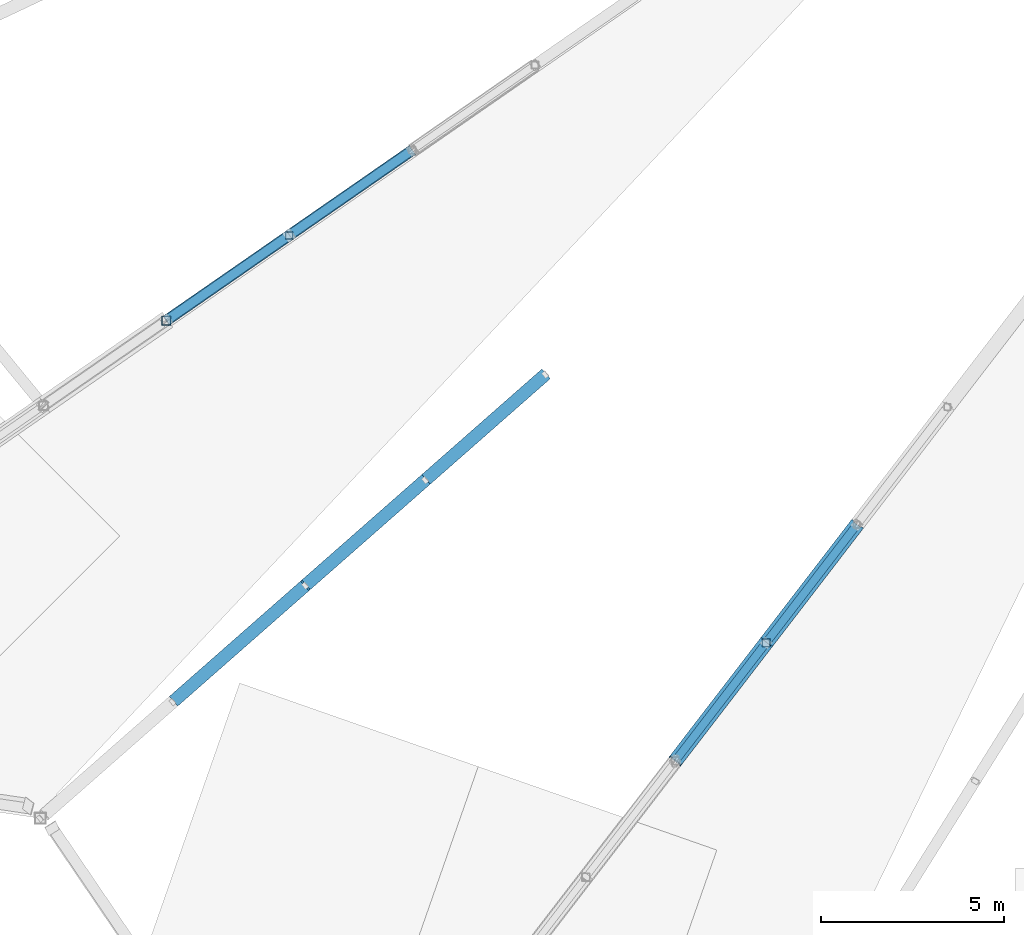
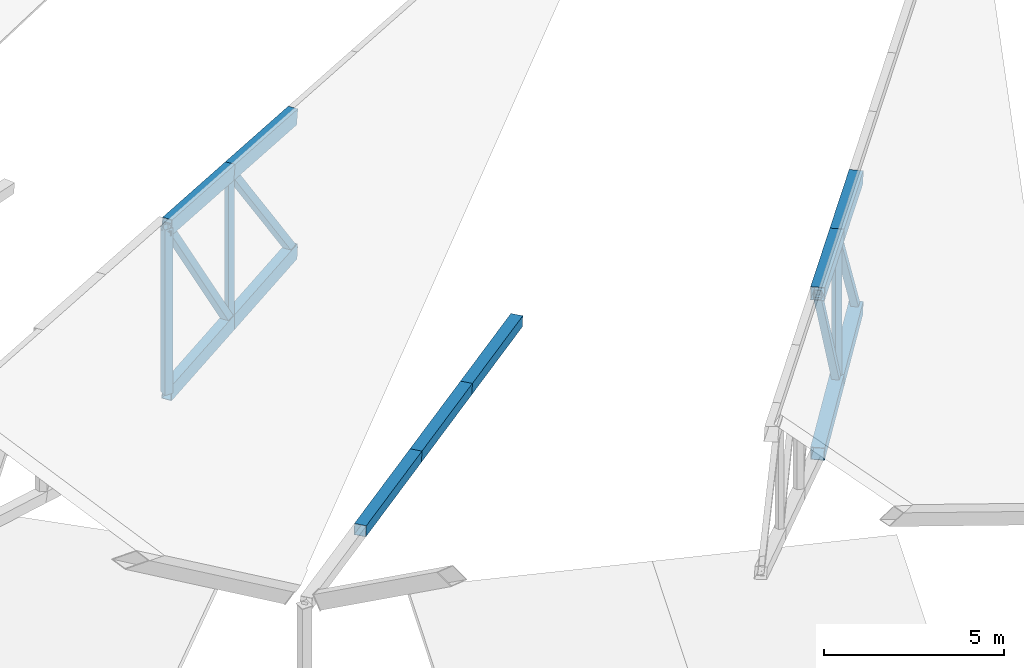
# One storey, part 6 of 188: 18 members.
"""IFC4 building model written with IfcOpenShell, lengths in metres."""

from ifc_helpers import new_model, si_unit, direction, frame, origin, origin_2d, place, context, subcontext, project, spatial, hollow_rectangle, extrude, material, material_profile, profile_set, type_object, element, save


model = new_model("IFC4")

# Units and contexts
model_context = context("Model", 3, precision=1e-05, world=origin(), true_north=direction((0.0, 1.0)))
body_context = subcontext(model_context, "Body", "Model", "MODEL_VIEW")
ifc_project = project(units=[si_unit("LENGTHUNIT", "METRE"), si_unit("AREAUNIT", "SQUARE_METRE"), si_unit("VOLUMEUNIT", "CUBIC_METRE"), si_unit("PLANEANGLEUNIT", "RADIAN"), si_unit("MASSUNIT", "GRAM", prefix="KILO")], contexts=[model_context])

# Site, building, storey
site_placement = place(None, origin())
site = spatial("IfcSite", under=ifc_project, at=site_placement, CompositionType="ELEMENT")
building_placement = place(site_placement, origin())
building = spatial("IfcBuilding", under=site, at=building_placement, Name="Meseta Stadium", CompositionType="ELEMENT")
storey_placement = place(building_placement, frame((0.0, 0.0, 30.0)))
storey = spatial("IfcBuildingStorey", under=building, at=storey_placement, Name="ROOF", CompositionType="ELEMENT", Elevation=30.0)

# Members
ifc_material_1 = material(Name="Steel S355", Category="steel")
ifc_material_profile_1 = material_profile(ifc_material_1, hollow_rectangle(XDim=0.300048828125, YDim=0.5, WallThickness=0.01611328125, at=origin_2d()), Name="RHS 500x300x16")
ifc_profile_set_1 = profile_set([ifc_material_profile_1], Name="Steel S355")
member_type_1 = type_object("IfcMemberType", Name="RHS 500x300x16 bottom chord", PredefinedType="CHORD", material=ifc_profile_set_1)
member_1_placement = place(storey_placement, frame((-61.710205078125, -72.913818359375, 0.962158203125), z_axis=(-0.821142779412, -0.569039636759, 0.043799858631), x_axis=(0.569586254046, -0.821931566009, 0.0)))
element("IfcMember", 1, at=member_1_placement, inside=storey, type_object=member_type_1, Name="ROOF TRUSS RT-40 bottom chord", PredefinedType="CHORD", context=body_context, shape_type="SweptSolid", body=[
    extrude(hollow_rectangle(XDim=0.300048828125, YDim=0.5, WallThickness=0.01611328125, at=origin_2d()), origin(), (0.0, 0.0, 1.0), 4.085693359375),
])
member_2_placement = place(storey_placement, frame((-65.065185546875, -75.23876953125, 1.14111328125), z_axis=(-0.821117005878, -0.569081528452, 0.043738731502), x_axis=(0.569626659021, -0.821903564497, 0.0)))
element("IfcMember", 2, at=member_2_placement, inside=storey, type_object=member_type_1, Name="ROOF TRUSS RT-40 bottom chord", PredefinedType="CHORD", context=body_context, shape_type="SweptSolid", body=[
    extrude(hollow_rectangle(XDim=0.300048828125, YDim=0.5, WallThickness=0.01611328125, at=origin_2d()), origin(), (0.0, 0.0, 1.0), 4.0859375),
])
ifc_material_2 = material(Name="Steel S355", Category="steel")
ifc_material_profile_2 = material_profile(ifc_material_2, hollow_rectangle(XDim=0.300048828125, YDim=0.5, WallThickness=0.01611328125, at=origin_2d()), Name="RHS 500x300x16")
ifc_profile_set_2 = profile_set([ifc_material_profile_2], Name="Steel S355")
member_type_2 = type_object("IfcMemberType", Name="RHS 500x300x16 top chord", PredefinedType="CHORD", material=ifc_profile_set_2)
for number, where, z_axis, x_axis, name in (
    (3, (-61.710205078125, -72.913818359375, 5.5107421875), (-0.809985745458, -0.561307979479, 0.169871846777), (0.569586254046, -0.821931566009, 0.0), "ROOF TRUSS RT-40 top chord"),
    (4, (-65.065185546875, -75.23876953125, 6.21435546875), (-0.809958947157, -0.561348349055, 0.169866226583), (0.569626659021, -0.821903564497, 0.0), "ROOF TRUSS RT-40 top chord"),
):
    element("IfcMember", number, at=place(storey_placement, frame(where, z_axis=z_axis, x_axis=x_axis)), inside=storey, type_object=member_type_2, Name=name, PredefinedType="CHORD", context=body_context, shape_type="SweptSolid", body=[
        extrude(hollow_rectangle(XDim=0.300048828125, YDim=0.5, WallThickness=0.01611328125, at=origin_2d()), origin(), (0.0, 0.0, 1.0), 4.14208984375),
    ])
ifc_material_3 = material(Name="Steel S355", Category="steel")
ifc_material_profile_3 = material_profile(ifc_material_3, hollow_rectangle(XDim=0.199951171875, YDim=0.199951171875, WallThickness=0.008056640625, at=origin_2d()), Name="SHS 200x200x8")
ifc_profile_set_3 = profile_set([ifc_material_profile_3], Name="Steel S355")
member_type_3 = type_object("IfcMemberType", Name="SHS 200x200x8 post", PredefinedType="POST", material=ifc_profile_set_3)
member_3_placement = place(storey_placement, frame((-65.065185546875, -75.23876953125, 1.14111328125), z_axis=(0.0, 0.0, 1.0), x_axis=(1.0, 0.0, 0.0)))
element("IfcMember", 5, at=member_3_placement, inside=storey, type_object=member_type_3, Name="ROOF TRUSS RT-40 post", PredefinedType="POST", context=body_context, shape_type="SweptSolid", body=[
    extrude(hollow_rectangle(XDim=0.199951171875, YDim=0.199951171875, WallThickness=0.008056640625, at=origin_2d()), origin(), (0.0, 0.0, 1.0), 5.0732421875),
])
ifc_material_4 = material(Name="Steel S355", Category="steel")
ifc_material_profile_4 = material_profile(ifc_material_4, hollow_rectangle(XDim=0.219970703125, YDim=0.219970703125, WallThickness=0.008056640625, at=origin_2d()), Name="SHS 220x220x8")
ifc_profile_set_4 = profile_set([ifc_material_profile_4], Name="Steel S355")
member_type_4 = type_object("IfcMemberType", Name="SHS 220x220x8 diagonal", PredefinedType="BRACE", material=ifc_profile_set_4)
member_4_placement = place(storey_placement, frame((-49.572998046875, -83.141357421875, 0.985107421875), z_axis=(-0.373072888255, -0.485200831687, 0.790820316493), x_axis=(0.792749139849, -0.609548030321, 0.0)))
element("IfcMember", 6, at=member_4_placement, inside=storey, type_object=member_type_4, Name="ROOF TRUSS RT-42 diagonal", PredefinedType="BRACE", context=body_context, shape_type="SweptSolid", body=[
    extrude(hollow_rectangle(XDim=0.219970703125, YDim=0.219970703125, WallThickness=0.008056640625, at=origin_2d()), origin(), (0.0, 0.0, 1.0), 6.63427734375),
])
member_5_placement = place(storey_placement, frame((-52.048095703125, -86.3603515625, 1.3193359375), z_axis=(-0.351675413037, -0.457372294426, 0.816783317751), x_axis=(0.792749139849, -0.609548030321, 0.0)))
element("IfcMember", 7, at=member_5_placement, inside=storey, type_object=member_type_4, Name="ROOF TRUSS RT-42 diagonal", PredefinedType="BRACE", context=body_context, shape_type="SweptSolid", body=[
    extrude(hollow_rectangle(XDim=0.219970703125, YDim=0.219970703125, WallThickness=0.008056640625, at=origin_2d()), origin(), (0.0, 0.0, 1.0), 7.0380859375),
])
ifc_material_5 = material(Name="Steel S355", Category="steel")
ifc_material_profile_5 = material_profile(ifc_material_5, hollow_rectangle(XDim=0.219970703125, YDim=0.219970703125, WallThickness=0.008056640625, at=origin_2d()), Name="SHS 220x220x8")
ifc_profile_set_5 = profile_set([ifc_material_profile_5], Name="Steel S355")
member_type_5 = type_object("IfcMemberType", Name="SHS 220x220x8 post", PredefinedType="POST", material=ifc_profile_set_5)
member_6_placement = place(storey_placement, frame((-52.048095703125, -86.3603515625, 1.3193359375), z_axis=(0.0, 0.0, 1.0), x_axis=(1.0, 0.0, 0.0)))
element("IfcMember", 8, at=member_6_placement, inside=storey, type_object=member_type_5, Name="ROOF TRUSS RT-42 post", PredefinedType="POST", context=body_context, shape_type="SweptSolid", body=[
    extrude(hollow_rectangle(XDim=0.219970703125, YDim=0.219970703125, WallThickness=0.008056640625, at=origin_2d()), origin(), (0.0, 0.0, 1.0), 4.912353515625),
])
ifc_material_6 = material(Name="Steel S355", Category="steel")
ifc_material_profile_6 = material_profile(ifc_material_6, hollow_rectangle(XDim=0.25, YDim=0.25, WallThickness=0.010009765625, at=origin_2d()), Name="SHS 250x250x10")
ifc_profile_set_6 = profile_set([ifc_material_profile_6], Name="Steel S355")
member_type_6 = type_object("IfcMemberType", Name="SHS 250x250x10 diagonal", PredefinedType="BRACE", material=ifc_profile_set_6)
member_7_placement = place(storey_placement, frame((-61.710205078125, -72.913818359375, 0.962158203125), z_axis=(-0.504369398454, -0.349520432359, 0.789586586301), x_axis=(0.569586254046, -0.821931566009, 0.0)))
element("IfcMember", 9, at=member_7_placement, inside=storey, type_object=member_type_6, Name="ROOF TRUSS RT-40 diagonal", PredefinedType="BRACE", context=body_context, shape_type="SweptSolid", body=[
    extrude(hollow_rectangle(XDim=0.25, YDim=0.25, WallThickness=0.010009765625, at=origin_2d()), origin(), (0.0, 0.0, 1.0), 6.65185546875),
])
member_8_placement = place(storey_placement, frame((-65.065185546875, -75.23876953125, 1.14111328125), z_axis=(-0.474302346934, -0.328718931175, 0.81668913791), x_axis=(0.569626659021, -0.821903564497, 0.0)))
element("IfcMember", 10, at=member_8_placement, inside=storey, type_object=member_type_6, Name="ROOF TRUSS RT-40 diagonal", PredefinedType="BRACE", context=body_context, shape_type="SweptSolid", body=[
    extrude(hollow_rectangle(XDim=0.25, YDim=0.25, WallThickness=0.010009765625, at=origin_2d()), origin(), (0.0, 0.0, 1.0), 7.073486328125),
])
ifc_material_7 = material(Name="Steel S355", Category="steel")
ifc_material_profile_7 = material_profile(ifc_material_7, hollow_rectangle(XDim=0.25, YDim=0.25, WallThickness=0.010009765625, at=origin_2d()), Name="SHS 250x250x10")
ifc_profile_set_7 = profile_set([ifc_material_profile_7], Name="Steel S355")
member_type_7 = type_object("IfcMemberType", Name="SHS 250x250x10 post", PredefinedType="POST", material=ifc_profile_set_7)
member_9_placement = place(storey_placement, frame((-68.420166015625, -77.56396484375, 1.31982421875), z_axis=(0.0, 0.0, 1.0), x_axis=(1.0, 0.0, 0.0)))
element("IfcMember", 11, at=member_9_placement, inside=storey, type_object=member_type_7, Name="ROOF TRUSS RT-40 post", PredefinedType="POST", context=body_context, shape_type="SweptSolid", body=[
    extrude(hollow_rectangle(XDim=0.25, YDim=0.25, WallThickness=0.010009765625, at=origin_2d()), origin(), (0.0, 0.0, 1.0), 5.59814453125),
])
ifc_material_8 = material(Name="Steel S355", Category="steel")
ifc_material_profile_8 = material_profile(ifc_material_8, hollow_rectangle(XDim=0.35009765625, YDim=0.35009765625, WallThickness=0.010009765625, at=origin_2d()), Name="SHS 350x350x10")
ifc_profile_set_8 = profile_set([ifc_material_profile_8], Name="Steel S355")
member_type_8 = type_object("IfcMemberType", Name="SHS 350x350x10 top chord", PredefinedType="CHORD", material=ifc_profile_set_8)
member_10_placement = place(storey_placement, frame((-58.068115234375, -79.032470703125, 1.02099609375), z_axis=(-0.744051221143, -0.653920305135, 0.137025599245), x_axis=(0.660147138656, -0.751136309416, 0.0)))
element("IfcMember", 12, at=member_10_placement, inside=storey, type_object=member_type_8, Name="ROOF TRUSS RT-41 top chord", PredefinedType="CHORD", context=body_context, shape_type="SweptSolid", body=[
    extrude(hollow_rectangle(XDim=0.35009765625, YDim=0.35009765625, WallThickness=0.010009765625, at=origin_2d()), origin(), (0.0, 0.0, 1.0), 4.404296875),
])
member_11_placement = place(storey_placement, frame((-61.34521484375, -81.91259765625, 1.62451171875), z_axis=(-0.744059098746, -0.653920513247, 0.13698182335), x_axis=(0.66014331382, -0.751139670913, 0.0)))
element("IfcMember", 13, at=member_11_placement, inside=storey, type_object=member_type_8, Name="ROOF TRUSS RT-41 top chord", PredefinedType="CHORD", context=body_context, shape_type="SweptSolid", body=[
    extrude(hollow_rectangle(XDim=0.35009765625, YDim=0.35009765625, WallThickness=0.010009765625, at=origin_2d()), origin(), (0.0, 0.0, 1.0), 4.404052734375),
])
member_12_placement = place(storey_placement, frame((-64.6220703125, -84.79248046875, 2.227783203125), z_axis=(-0.744058267473, -0.653919603093, 0.136990683247), x_axis=(0.660143211531, -0.75113976081, 0.0)))
element("IfcMember", 14, at=member_12_placement, inside=storey, type_object=member_type_8, Name="ROOF TRUSS RT-41 top chord", PredefinedType="CHORD", context=body_context, shape_type="SweptSolid", body=[
    extrude(hollow_rectangle(XDim=0.35009765625, YDim=0.35009765625, WallThickness=0.010009765625, at=origin_2d()), origin(), (0.0, 0.0, 1.0), 4.86181640625),
])
ifc_material_9 = material(Name="Steel S355", Category="steel")
ifc_material_profile_9 = material_profile(ifc_material_9, hollow_rectangle(XDim=0.39990234375, YDim=0.39990234375, WallThickness=0.010009765625, at=origin_2d()), Name="SHS 400x400x10")
ifc_profile_set_9 = profile_set([ifc_material_profile_9], Name="Steel S355")
member_type_9 = type_object("IfcMemberType", Name="SHS 400x400x10 top chord", PredefinedType="CHORD", material=ifc_profile_set_9)
member_13_placement = place(storey_placement, frame((-49.572998046875, -83.141357421875, 5.3955078125), z_axis=(-0.597020682494, -0.776456667852, 0.201696176518), x_axis=(0.792749139849, -0.609548030321, 0.0)))
element("IfcMember", 15, at=member_13_placement, inside=storey, type_object=member_type_9, Name="ROOF TRUSS RT-42 top chord", PredefinedType="CHORD", context=body_context, shape_type="SweptSolid", body=[
    extrude(hollow_rectangle(XDim=0.39990234375, YDim=0.39990234375, WallThickness=0.010009765625, at=origin_2d()), origin(), (0.0, 0.0, 1.0), 4.145751953125),
])
ifc_material_10 = material(Name="Steel S355", Category="steel")
ifc_material_profile_10 = material_profile(ifc_material_10, hollow_rectangle(XDim=0.39990234375, YDim=0.39990234375, WallThickness=0.01416015625, at=origin_2d()), Name="SHS 400x400x14.2")
ifc_profile_set_10 = profile_set([ifc_material_profile_10], Name="Steel S355")
member_type_10 = type_object("IfcMemberType", Name="SHS 400x400x14.2 bottom chord", PredefinedType="CHORD", material=ifc_profile_set_10)
for number, where, z_axis, x_axis, name in (
    (16, (-49.572998046875, -83.141357421875, 0.985107421875), (-0.60749357764, -0.790077216531, 0.08203380428), (0.792749139849, -0.609548030321, 0.0), "ROOF TRUSS RT-42 bottom chord"),
    (17, (-52.048095703125, -86.3603515625, 1.3193359375), (-0.607490590337, -0.790073331386, 0.082093323019), (0.792749139849, -0.609548030321, 0.0), "ROOF TRUSS RT-42 bottom chord"),
):
    element("IfcMember", number, at=place(storey_placement, frame(where, z_axis=z_axis, x_axis=x_axis)), inside=storey, type_object=member_type_10, Name=name, PredefinedType="CHORD", context=body_context, shape_type="SweptSolid", body=[
        extrude(hollow_rectangle(XDim=0.39990234375, YDim=0.39990234375, WallThickness=0.01416015625, at=origin_2d()), origin(), (0.0, 0.0, 1.0), 4.07421875),
    ])
ifc_material_11 = material(Name="Steel S355", Category="steel")
ifc_material_profile_11 = material_profile(ifc_material_11, hollow_rectangle(XDim=0.39990234375, YDim=0.39990234375, WallThickness=0.01416015625, at=origin_2d()), Name="SHS 400x400x14.2")
ifc_profile_set_11 = profile_set([ifc_material_profile_11], Name="Steel S355")
member_type_11 = type_object("IfcMemberType", Name="SHS 400x400x14.2 top chord", PredefinedType="CHORD", material=ifc_profile_set_11)
member_14_placement = place(storey_placement, frame((-52.048095703125, -86.3603515625, 6.231689453125), z_axis=(-0.597020682494, -0.776456667852, 0.201696176518), x_axis=(0.792749139849, -0.609548030321, 0.0)))
element("IfcMember", 18, at=member_14_placement, inside=storey, type_object=member_type_11, Name="ROOF TRUSS RT-42 top chord", PredefinedType="CHORD", context=body_context, shape_type="SweptSolid", body=[
    extrude(hollow_rectangle(XDim=0.39990234375, YDim=0.39990234375, WallThickness=0.01416015625, at=origin_2d()), origin(), (0.0, 0.0, 1.0), 4.145751953125),
])

save(model, "model.ifc")
